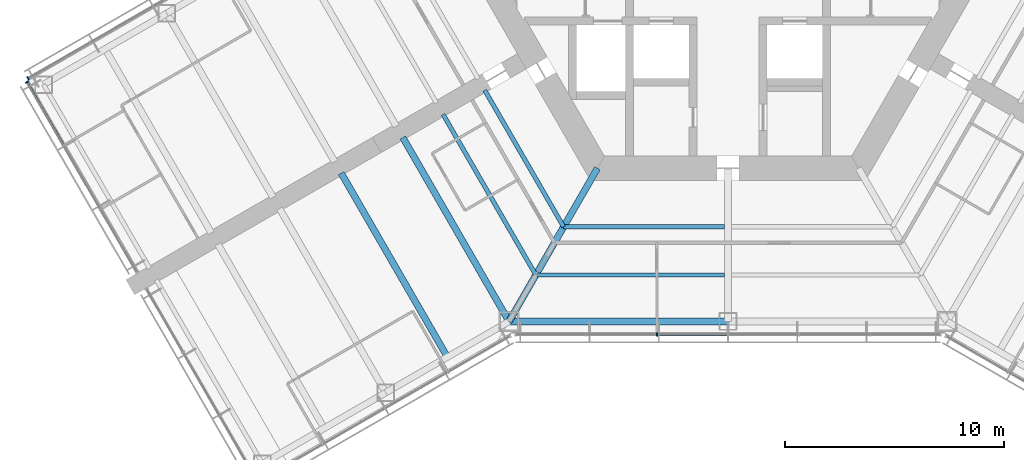
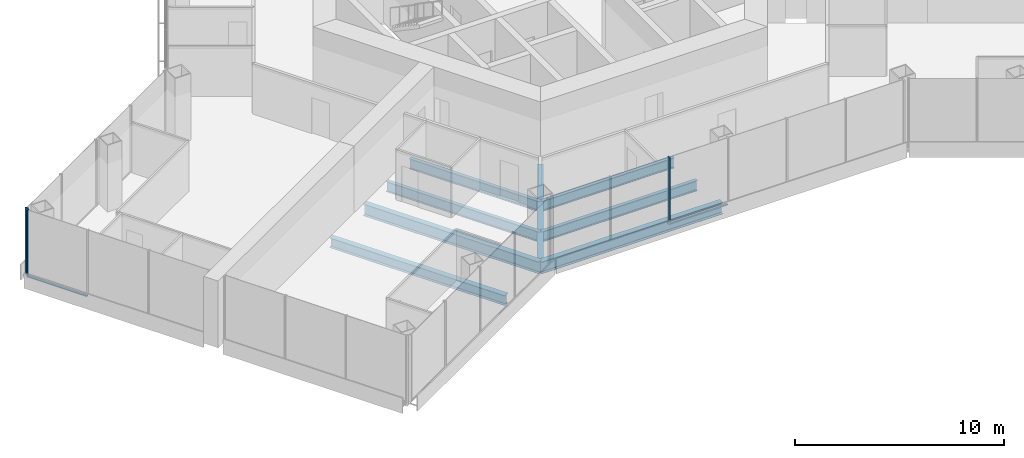
# One storey, part 3 of 19: 8 beams, 5 members, 3 elements without a shape of their own.
"""IFC4 building model written with IfcOpenShell, lengths in metres."""

from ifc_helpers import new_model, si_unit, direction, frame, origin, origin_2d, place, context, subcontext, project, spatial, rectangle, i_section, extrude, material, material_profile, profile_set, type_object, element, aggregate, save


model = new_model("IFC4")

# Units and contexts
model_context = context("Model", 3, precision=1e-05, world=origin(), true_north=direction((0.0, 1.0)))
body_context = subcontext(model_context, "Body", "Model", "MODEL_VIEW")
ifc_project = project(units=[si_unit("LENGTHUNIT", "METRE"), si_unit("AREAUNIT", "SQUARE_METRE"), si_unit("VOLUMEUNIT", "CUBIC_METRE"), si_unit("PLANEANGLEUNIT", "RADIAN"), si_unit("MASSUNIT", "GRAM", prefix="KILO")], contexts=[model_context])

# Site, building, storey
site_placement = place(None, origin())
site = spatial("IfcSite", under=ifc_project, at=site_placement, CompositionType="ELEMENT")
building_placement = place(site_placement, origin())
building = spatial("IfcBuilding", under=site, at=building_placement, Name="Kasaneha Research Tower", CompositionType="ELEMENT")
storey_placement = place(building_placement, frame((0.0, 0.0, 100.199951171875)))
storey = spatial("IfcBuildingStorey", under=building, at=storey_placement, Name="L25", CompositionType="ELEMENT", Elevation=100.199951171875)

# Beams
ifc_material_1 = material(Name="Steel SN490B", Category="steel")
ifc_material_profile_1 = material_profile(ifc_material_1, i_section(OverallWidth=0.199951171875, OverallDepth=0.60009765625, WebThickness=0.010986328125, FlangeThickness=0.01708984375, FilletRadius=0.012939453125, at=origin_2d()), Name="H-600x200x11x17")
ifc_profile_set_1 = profile_set([ifc_material_profile_1], Name="Steel SN490B")
beam_type_1 = type_object("IfcBeamType", Name="B1-3 secondary beam H-600x200x11x17", PredefinedType="JOIST", material=ifc_profile_set_1)
beam_1_placement = place(storey_placement, frame((-7.505615234375, -13.0, -0.449951171875), z_axis=(-0.499998147991, 0.86602647304, 0.0), x_axis=(-0.86602647304, -0.499998147991, 0.0)))
element("IfcBeam", 1, at=beam_1_placement, inside=storey, type_object=beam_type_1, Name="Secondary beam RS210R1 L25", PredefinedType="JOIST", context=body_context, shape_type="SweptSolid", body=[
    extrude(i_section(OverallWidth=0.199951171875, OverallDepth=0.60009765625, WebThickness=0.010986328125, FlangeThickness=0.01708984375, FilletRadius=0.012939453125, at=origin_2d()), origin(), (0.0, 0.0, 1.0), 7.20556640625),
])
beam_2_placement = place(storey_placement, frame((-8.775634765625, -15.199951171875, -0.449951171875), z_axis=(-0.500020829043, 0.866013377797, 0.0), x_axis=(-0.866013377797, -0.500020829043, 0.0)))
element("IfcBeam", 2, at=beam_2_placement, inside=storey, type_object=beam_type_1, Name="Secondary beam RS210R2 L25", PredefinedType="JOIST", context=body_context, shape_type="SweptSolid", body=[
    extrude(i_section(OverallWidth=0.199951171875, OverallDepth=0.60009765625, WebThickness=0.010986328125, FlangeThickness=0.01708984375, FilletRadius=0.012939453125, at=origin_2d()), origin(), (0.0, 0.0, 1.0), 8.475830078125),
])
beam_3_placement = place(storey_placement, frame((-7.505615234375, -13.0, -0.449951171875), z_axis=(1.0, 0.0, 0.0), x_axis=(0.0, 1.0, 0.0)))
element("IfcBeam", 3, at=beam_3_placement, inside=storey, type_object=beam_type_1, Name="Secondary beam RS270L1 L25", PredefinedType="JOIST", context=body_context, shape_type="SweptSolid", body=[
    extrude(i_section(OverallWidth=0.199951171875, OverallDepth=0.60009765625, WebThickness=0.010986328125, FlangeThickness=0.01708984375, FilletRadius=0.012939453125, at=origin_2d()), origin(), (0.0, 0.0, 1.0), 7.355712890625),
])
beam_4_placement = place(storey_placement, frame((-8.775634765625, -15.199951171875, -0.449951171875), z_axis=(1.0, 0.0, 0.0), x_axis=(0.0, 1.0, 0.0)))
element("IfcBeam", 4, at=beam_4_placement, inside=storey, type_object=beam_type_1, Name="Secondary beam RS270L2 L25", PredefinedType="JOIST", context=body_context, shape_type="SweptSolid", body=[
    extrude(i_section(OverallWidth=0.199951171875, OverallDepth=0.60009765625, WebThickness=0.010986328125, FlangeThickness=0.01708984375, FilletRadius=0.012939453125, at=origin_2d()), origin(), (0.0, 0.0, 1.0), 8.625732421875),
])
ifc_material_2 = material(Name="Steel SN490B", Category="steel")
ifc_material_profile_2 = material_profile(ifc_material_2, i_section(OverallWidth=0.300048828125, OverallDepth=0.58203125, WebThickness=0.011962890625, FlangeThickness=0.01708984375, FilletRadius=0.012939453125, at=origin_2d()), Name="H-582x300x12x17")
ifc_profile_set_2 = profile_set([ifc_material_profile_2], Name="Steel SN490B")
beam_type_2 = type_object("IfcBeamType", Name="B2-3 secondary beam H-582x300x12x17", PredefinedType="JOIST", material=ifc_profile_set_2)
beam_5_placement = place(storey_placement, frame((-12.814697265625, -18.945556640625, -0.44091796875), z_axis=(-0.499991164321, 0.866030505006, 0.0), x_axis=(-0.866030505006, -0.499991164321, 0.0)))
element("IfcBeam", 5, at=beam_5_placement, inside=storey, type_object=beam_type_2, Name="Secondary beam WBBN1 L25", PredefinedType="JOIST", context=body_context, shape_type="SweptSolid", body=[
    extrude(i_section(OverallWidth=0.300048828125, OverallDepth=0.58203125, WebThickness=0.011962890625, FlangeThickness=0.01708984375, FilletRadius=0.012939453125, at=origin_2d()), origin(), (0.0, 0.0, 1.0), 9.699951171875),
])

# Curtain wall, member
ifc_material_3 = material(Name="Glass and aluminium", Category="aluminium")
curtain_wall_type = type_object("IfcCurtainWallType", Name="Low-rise office curtain wall", PredefinedType="USERDEFINED", material=ifc_material_3)
curtain_wall_1_placement = place(storey_placement, origin())
curtain_wall_1 = element("IfcCurtainWall", 6, at=curtain_wall_1_placement, inside=storey, type_object=curtain_wall_type, Name="CW-O1 L25 run 02a", ObjectType="UNITISED CURTAIN WALL", PredefinedType="USERDEFINED")
ifc_material_4 = material(Name="Aluminium 6063-T6", Category="aluminium")
ifc_material_profile_3 = material_profile(ifc_material_4, rectangle(XDim=0.06005859375, YDim=0.159912109375, at=origin_2d()), Name="CW-O1 mullion 60x160")
ifc_profile_set_3 = profile_set([ifc_material_profile_3], Name="Aluminium 6063-T6")
member_type_1 = type_object("IfcMemberType", Name="CW-O1 mullion", PredefinedType="MULLION", material=ifc_profile_set_3)
member_1_placement = place(storey_placement, frame((-3.246337890625, -17.92041015625, 0.0), z_axis=(0.0, 0.0, 1.0), x_axis=(1.0, 0.0, 0.0)))
member_1 = element("IfcMember", 7, at=member_1_placement, type_object=member_type_1, Name="CW-O1 mullion 3", PredefinedType="MULLION", context=body_context, shape_type="SweptSolid", body=[
    extrude(rectangle(XDim=0.06005859375, YDim=0.159912109375, at=origin_2d()), origin(), (0.0, 0.0, 1.0), 3.900146484375),
])

curtain_wall_2_placement = place(storey_placement, origin())
curtain_wall_2 = element("IfcCurtainWall", 8, at=curtain_wall_2_placement, inside=storey, type_object=curtain_wall_type, Name="CW-O1 L25 run 13a", ObjectType="UNITISED CURTAIN WALL", PredefinedType="USERDEFINED")
member_2_placement = place(storey_placement, frame((-31.96533203125, -6.21533203125, 0.0), z_axis=(0.0, 0.0, 1.0), x_axis=(-0.866025411464, -0.499999986699, 0.0)))
member_2 = element("IfcMember", 9, at=member_2_placement, type_object=member_type_1, Name="CW-O1 mullion 5", PredefinedType="MULLION", context=body_context, shape_type="SweptSolid", body=[
    extrude(rectangle(XDim=0.06005859375, YDim=0.159912109375, at=origin_2d()), origin(), (0.0, 0.0, 1.0), 3.900146484375),
])
aggregate(curtain_wall_2, [member_2])

curtain_wall_3_placement = place(storey_placement, origin())
curtain_wall_3 = element("IfcCurtainWall", 10, at=curtain_wall_3_placement, inside=storey, type_object=curtain_wall_type, Name="CW-O1 L25 run 14a", ObjectType="UNITISED CURTAIN WALL", PredefinedType="USERDEFINED")
member_3_placement = place(storey_placement, frame((-32.012939453125, -6.39306640625, 0.0), z_axis=(0.0, 0.0, 1.0), x_axis=(0.500000011442, -0.866025397178, 0.0)))
member_3 = element("IfcMember", 11, at=member_3_placement, type_object=member_type_1, Name="CW-O1 mullion 1", PredefinedType="MULLION", context=body_context, shape_type="SweptSolid", body=[
    extrude(rectangle(XDim=0.06005859375, YDim=0.159912109375, at=origin_2d()), origin(), (0.0, 0.0, 1.0), 3.900146484375),
])

# Member
ifc_material_5 = material(Name="Aluminium 6063-T6", Category="aluminium")
ifc_material_profile_4 = material_profile(ifc_material_5, rectangle(XDim=0.1201171875, YDim=0.06005859375, at=origin_2d()), Name="CW-O1 transom 120x60")
ifc_profile_set_4 = profile_set([ifc_material_profile_4], Name="Aluminium 6063-T6")
member_type_2 = type_object("IfcMemberType", Name="CW-O1 transom", PredefinedType="USERDEFINED", material=ifc_profile_set_4)
member_4_placement = place(storey_placement, frame((-3.21630859375, -17.92041015625, 0.030029296875), z_axis=(1.0, 0.0, 0.0), x_axis=(0.0, 1.0, 0.0)))
member_4 = element("IfcMember", 12, at=member_4_placement, type_object=member_type_2, Name="CW-O1 transom 3", ObjectType="TRANSOM", PredefinedType="USERDEFINED", context=body_context, shape_type="SweptSolid", body=[
    extrude(rectangle(XDim=0.1201171875, YDim=0.06005859375, at=origin_2d()), origin(), (0.0, 0.0, 1.0), 3.186279296875),
])

aggregate(curtain_wall_1, [member_1, member_4])

member_5_placement = place(storey_placement, frame((-31.998046875, -6.4189453125, 0.030029296875), z_axis=(0.500025583411, -0.866010632691, 0.0), x_axis=(0.866010632691, 0.500025583411, 0.0)))
member_5 = element("IfcMember", 13, at=member_5_placement, type_object=member_type_2, Name="CW-O1 transom 1", ObjectType="TRANSOM", PredefinedType="USERDEFINED", context=body_context, shape_type="SweptSolid", body=[
    extrude(rectangle(XDim=0.1201171875, YDim=0.06005859375, at=origin_2d()), origin(), (0.0, 0.0, 1.0), 3.276611328125),
])

aggregate(curtain_wall_3, [member_3, member_5])

# Beams
ifc_material_6 = material(Name="Steel SN490B", Category="steel")
ifc_material_profile_5 = material_profile(ifc_material_6, i_section(OverallWidth=0.300048828125, OverallDepth=0.699951171875, WebThickness=0.012939453125, FlangeThickness=0.02392578125, FilletRadius=0.01806640625, at=origin_2d()), Name="H-700x300x13x24")
ifc_profile_set_5 = profile_set([ifc_material_profile_5], Name="Steel SN490B")
beam_type_3 = type_object("IfcBeamType", Name="G1-3 radial girder H-700x300x13x24", PredefinedType="BEAM", material=ifc_profile_set_5)
beam_6_placement = place(storey_placement, frame((-5.961181640625, -10.324951171875, -0.5), z_axis=(-0.49999105496, -0.866030568144, 0.0), x_axis=(0.866030568144, -0.49999105496, 0.0)))
element("IfcBeam", 14, at=beam_6_placement, inside=storey, type_object=beam_type_3, Name="Radial girder RV240 L25", PredefinedType="BEAM", context=body_context, shape_type="SweptSolid", body=[
    extrude(i_section(OverallWidth=0.300048828125, OverallDepth=0.699951171875, WebThickness=0.012939453125, FlangeThickness=0.02392578125, FilletRadius=0.01806640625, at=origin_2d()), origin(), (0.0, 0.0, 1.0), 8.077880859375),
])
ifc_material_7 = material(Name="Steel SN490B", Category="steel")
ifc_material_profile_6 = material_profile(ifc_material_7, i_section(OverallWidth=0.300048828125, OverallDepth=0.69189453125, WebThickness=0.012939453125, FlangeThickness=0.02001953125, FilletRadius=0.01806640625, at=origin_2d()), Name="H-692x300x13x20")
ifc_profile_set_6 = profile_set([ifc_material_profile_6], Name="Steel SN490B")
beam_type_4 = type_object("IfcBeamType", Name="G3-3 plate edge girder H-692x300x13x20", PredefinedType="BEAM", material=ifc_profile_set_6)
beam_7_placement = place(storey_placement, frame((-10.0, -17.320556640625, -0.495849609375), z_axis=(-0.500010041276, 0.866019606374, 0.0), x_axis=(-0.866019606374, -0.500010041276, 0.0)))
element("IfcBeam", 15, at=beam_7_placement, inside=storey, type_object=beam_type_4, Name="Plate edge girder PEBN L25", PredefinedType="BEAM", context=body_context, shape_type="SweptSolid", body=[
    extrude(i_section(OverallWidth=0.300048828125, OverallDepth=0.69189453125, WebThickness=0.012939453125, FlangeThickness=0.02001953125, FilletRadius=0.01806640625, at=origin_2d()), origin(), (0.0, 0.0, 1.0), 9.699951171875),
])
ifc_material_8 = material(Name="Steel SN490B", Category="steel")
ifc_material_profile_7 = material_profile(ifc_material_8, i_section(OverallWidth=0.300048828125, OverallDepth=0.69189453125, WebThickness=0.012939453125, FlangeThickness=0.02001953125, FilletRadius=0.01806640625, at=origin_2d()), Name="H-692x300x13x20")
ifc_profile_set_7 = profile_set([ifc_material_profile_7], Name="Steel SN490B")
beam_type_5 = type_object("IfcBeamType", Name="SB1-3 spandrel beam H-692x300x13x20", PredefinedType="SPANDREL", material=ifc_profile_set_7)
beam_8_placement = place(storey_placement, frame((-10.0, -17.320556640625, -0.495849609375), z_axis=(1.0, 0.0, 0.0), x_axis=(0.0, 1.0, 0.0)))
element("IfcBeam", 16, at=beam_8_placement, inside=storey, type_object=beam_type_5, Name="Spandrel beam SR270L L25", PredefinedType="SPANDREL", context=body_context, shape_type="SweptSolid", body=[
    extrude(i_section(OverallWidth=0.300048828125, OverallDepth=0.69189453125, WebThickness=0.012939453125, FlangeThickness=0.02001953125, FilletRadius=0.01806640625, at=origin_2d()), origin(), (0.0, 0.0, 1.0), 10.0),
])

save(model, "model.ifc")
